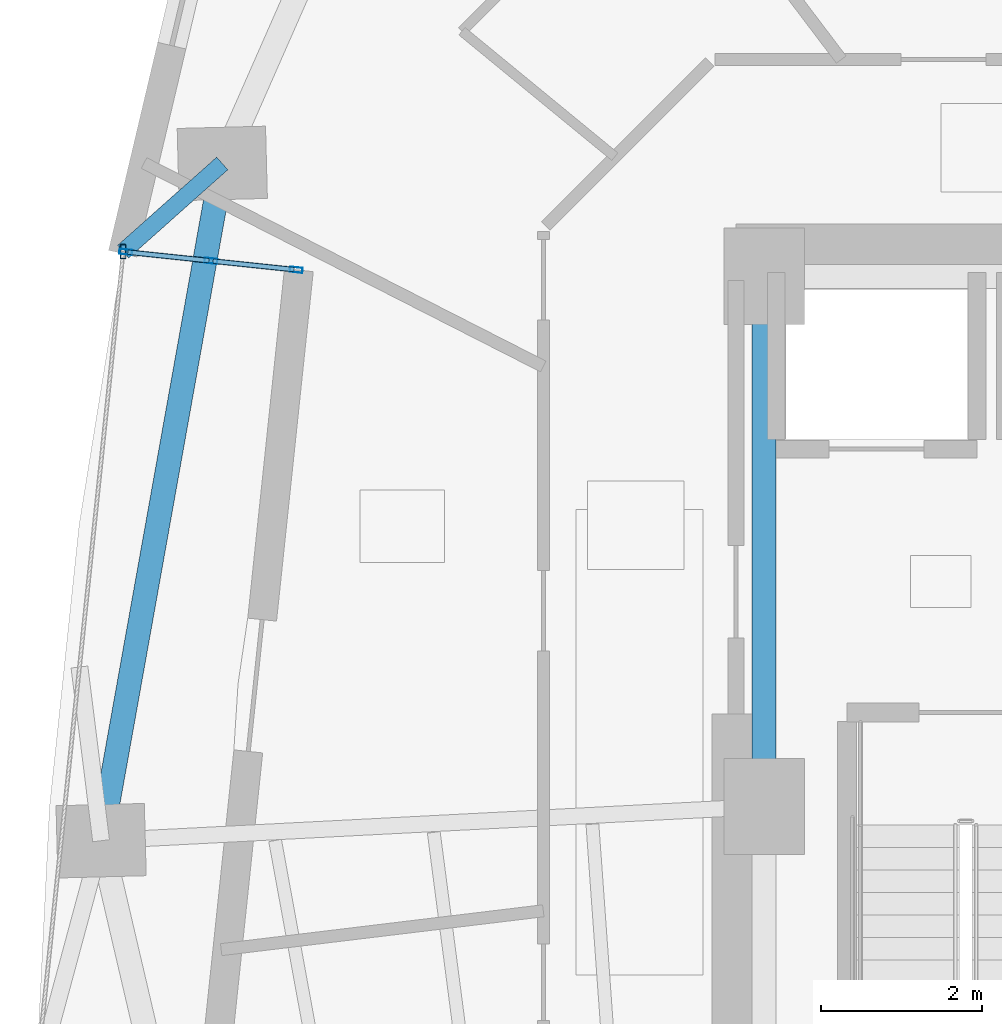
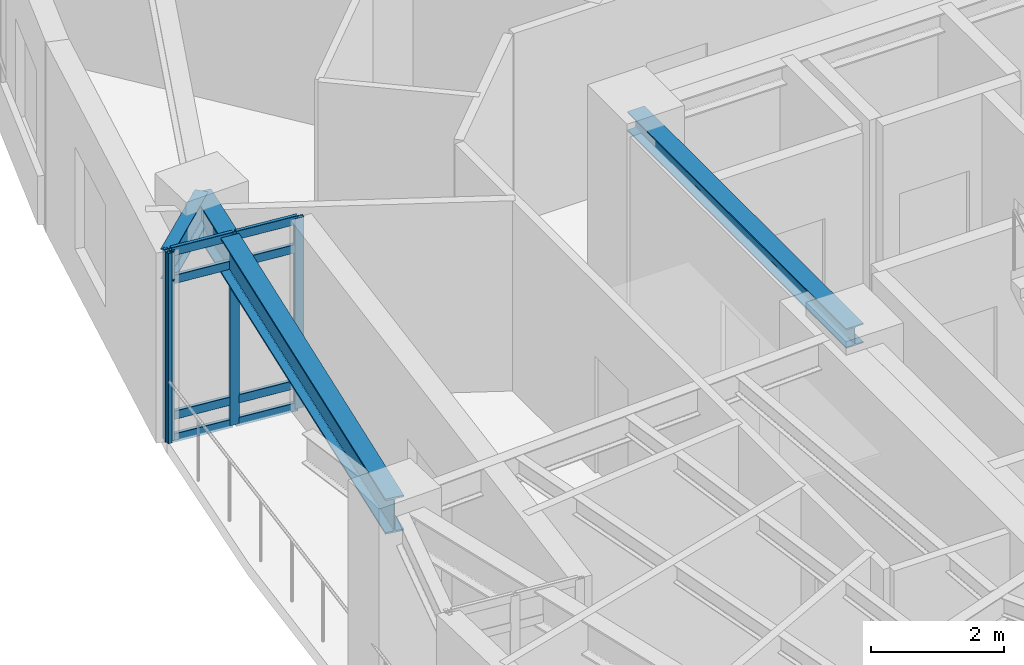
# One storey, part 5 of 16: 12 members, 3 beams, 1 element without a shape of its own.
"""IFC4 building model written with IfcOpenShell, lengths in metres."""

from ifc_helpers import new_model, si_unit, direction, frame, origin, origin_2d, place, context, subcontext, project, spatial, hollow_rectangle, i_section, extrude, material, layer, layer_set, material_profile, profile_set, type_object, element, aggregate, save


model = new_model("IFC4")

# Units and contexts
model_context = context("Model", 3, precision=1e-05, world=origin(), true_north=direction((0.0, 1.0)))
body_context = subcontext(model_context, "Body", "Model", "MODEL_VIEW")
ifc_project = project(units=[si_unit("LENGTHUNIT", "METRE"), si_unit("AREAUNIT", "SQUARE_METRE"), si_unit("VOLUMEUNIT", "CUBIC_METRE"), si_unit("PLANEANGLEUNIT", "RADIAN"), si_unit("MASSUNIT", "GRAM", prefix="KILO")], contexts=[model_context])

# Site, building, storey
site_placement = place(None, origin())
site = spatial("IfcSite", under=ifc_project, at=site_placement, CompositionType="ELEMENT")
building_placement = place(site_placement, origin())
building = spatial("IfcBuilding", under=site, at=building_placement, Name="Ndelora Gate Hotel", CompositionType="ELEMENT")
storey_placement = place(building_placement, frame((0.0, 0.0, 97.25)))
storey = spatial("IfcBuildingStorey", under=building, at=storey_placement, Name="L23", CompositionType="ELEMENT", Elevation=97.25)

# Beams
ifc_material_1 = material(Name="Steel S355", Category="steel")
ifc_material_profile_1 = material_profile(ifc_material_1, i_section(OverallWidth=0.300048828125, OverallDepth=0.360107421875, WebThickness=0.012451171875, FlangeThickness=0.0224609375, FilletRadius=0.027099609375, at=origin_2d()), Name="HEB 360")
ifc_profile_set_1 = profile_set([ifc_material_profile_1], Name="Steel S355")
beam_type_1 = type_object("IfcBeamType", Name="BM-CORE-360", PredefinedType="BEAM", material=ifc_profile_set_1)
beam_1_placement = place(storey_placement, frame((-8.0, 0.0, 3.320068359375), z_axis=(0.0, 1.0, 0.0), x_axis=(-1.0, 0.0, 0.0)))
element("IfcBeam", 1, at=beam_1_placement, inside=storey, type_object=beam_type_1, Name="L23 Core Tie Girder CC8-CC7", PredefinedType="BEAM", context=body_context, shape_type="SweptSolid", body=[
    extrude(i_section(OverallWidth=0.300048828125, OverallDepth=0.360107421875, WebThickness=0.012451171875, FlangeThickness=0.0224609375, FilletRadius=0.027099609375, at=origin_2d()), origin(), (0.0, 0.0, 1.0), 6.60009765625),
])
ifc_material_profile_2 = material_profile(ifc_material_1, i_section(OverallWidth=0.2099609375, OverallDepth=0.550048828125, WebThickness=0.010986328125, FlangeThickness=0.01708984375, FilletRadius=0.02392578125, at=origin_2d()), Name="IPE 550")
ifc_profile_set_2 = profile_set([ifc_material_profile_2], Name="Steel S355")
beam_type_2 = type_object("IfcBeamType", Name="BM-RAD-550", PredefinedType="BEAM", material=ifc_profile_set_2)
beam_2_placement = place(storey_placement, frame((-14.74658203125, 8.006591796875, 3.22509765625), z_axis=(-0.747058674237, -0.664758104311, 0.0), x_axis=(0.664758104311, -0.747058674237, 0.0)))
element("IfcBeam", 2, at=beam_2_placement, inside=storey, type_object=beam_type_2, Name="L23 Sky-Garden Loggia Column Bracket 1", PredefinedType="BEAM", context=body_context, shape_type="SweptSolid", body=[
    extrude(i_section(OverallWidth=0.2099609375, OverallDepth=0.550048828125, WebThickness=0.010986328125, FlangeThickness=0.01708984375, FilletRadius=0.02392578125, at=origin_2d()), origin(), (0.0, 0.0, 1.0), 1.65234375),
])
ifc_material_profile_3 = material_profile(ifc_material_1, i_section(OverallWidth=0.300048828125, OverallDepth=0.64990234375, WebThickness=0.01611328125, FlangeThickness=0.031005859375, FilletRadius=0.027099609375, at=origin_2d()), Name="HEB 650")
ifc_profile_set_3 = profile_set([ifc_material_profile_3], Name="Steel S355")
beam_type_3 = type_object("IfcBeamType", Name="BM-RING-650", PredefinedType="SPANDREL", material=ifc_profile_set_3)
beam_3_placement = place(storey_placement, frame((-14.74658203125, 8.006591796875, 3.175048828125), z_axis=(-0.176130938817, -0.984366746894, 0.0), x_axis=(0.984366746894, -0.176130938817, 0.0)))
element("IfcBeam", 3, at=beam_3_placement, inside=storey, type_object=beam_type_3, Name="L23 Perimeter Spandrel Girder 2", PredefinedType="SPANDREL", context=body_context, shape_type="SweptSolid", body=[
    extrude(i_section(OverallWidth=0.300048828125, OverallDepth=0.64990234375, WebThickness=0.01611328125, FlangeThickness=0.031005859375, FilletRadius=0.027099609375, at=origin_2d()), origin(), (0.0, 0.0, 1.0), 8.56640625),
])

# Curtain wall, members
ifc_material_2 = material(Name="Bronze Anodised Unitised Aluminium and Low-E Glass", Category="aluminium")
ifc_layer = layer(ifc_material_2, 0.199951171875)
ifc_layer_set = layer_set([ifc_layer], Name="Bronze Anodised Unitised Aluminium and Low-E Glass")
curtain_wall_type = type_object("IfcCurtainWallType", Name="CW-SYS-3", PredefinedType="NOTDEFINED", material=ifc_layer_set)
curtain_wall_placement = place(storey_placement, origin())
curtain_wall = element("IfcCurtainWall", 4, at=curtain_wall_placement, inside=storey, type_object=curtain_wall_type, Name="L23 Sky-Garden Loggia Side Curtain Wall CW3-1", PredefinedType="NOTDEFINED")
ifc_material_3 = material(Name="Bronze Anodised Aluminium 6063-T6", Category="aluminium")
ifc_material_profile_4 = material_profile(ifc_material_3, hollow_rectangle(XDim=0.06494140625, YDim=0.159912109375, WallThickness=0.00390625, InnerFilletRadius=0.00390625, OuterFilletRadius=0.008056640625, at=origin_2d()), Name="ALU 160x65x4")
ifc_profile_set_4 = profile_set([ifc_material_profile_4], Name="Bronze Anodised Aluminium 6063-T6")
member_type_1 = type_object("IfcMemberType", Name="MB-CW-MUL150", PredefinedType="MULLION", material=ifc_profile_set_4)
member_1_placement = place(storey_placement, frame((-13.825439453125, 6.681884765625, -0.00390625), z_axis=(0.0, 0.0, 1.0), x_axis=(-0.10450258647, -0.994524614789, 0.0)))
member_1 = element("IfcMember", 5, at=member_1_placement, type_object=member_type_1, Name="CW3 mullion 1", PredefinedType="MULLION", context=body_context, shape_type="SweptSolid", body=[
    extrude(hollow_rectangle(XDim=0.06494140625, YDim=0.159912109375, WallThickness=0.00390625, InnerFilletRadius=0.00390625, OuterFilletRadius=0.008056640625, at=origin_2d()), origin(), (0.0, 0.0, 1.0), 3.5078125),
])
member_2_placement = place(storey_placement, frame((-14.886962890625, 6.79345703125, -0.00390625), z_axis=(0.0, 0.0, 1.0), x_axis=(-0.10450258647, -0.994524614789, 0.0)))
member_2 = element("IfcMember", 6, at=member_2_placement, type_object=member_type_1, Name="CW3 mullion 2", PredefinedType="MULLION", context=body_context, shape_type="SweptSolid", body=[
    extrude(hollow_rectangle(XDim=0.06494140625, YDim=0.159912109375, WallThickness=0.00390625, InnerFilletRadius=0.00390625, OuterFilletRadius=0.008056640625, at=origin_2d()), origin(), (0.0, 0.0, 1.0), 3.5078125),
])
member_3_placement = place(storey_placement, frame((-15.94873046875, 6.90478515625, -0.00390625), z_axis=(0.0, 0.0, 1.0), x_axis=(-0.10450258647, -0.994524614789, 0.0)))
member_3 = element("IfcMember", 7, at=member_3_placement, type_object=member_type_1, Name="CW3 mullion 3", PredefinedType="MULLION", context=body_context, shape_type="SweptSolid", body=[
    extrude(hollow_rectangle(XDim=0.06494140625, YDim=0.159912109375, WallThickness=0.00390625, InnerFilletRadius=0.00390625, OuterFilletRadius=0.008056640625, at=origin_2d()), origin(), (0.0, 0.0, 1.0), 3.5078125),
])
ifc_material_profile_5 = material_profile(ifc_material_3, hollow_rectangle(XDim=0.070068359375, YDim=0.179931640625, WallThickness=0.0048828125, InnerFilletRadius=0.0048828125, OuterFilletRadius=0.010009765625, at=origin_2d()), Name="ALU 180x70x5")
ifc_profile_set_5 = profile_set([ifc_material_profile_5], Name="Bronze Anodised Aluminium 6063-T6")
member_type_2 = type_object("IfcMemberType", Name="MB-CW-MUL180", PredefinedType="MULLION", material=ifc_profile_set_5)
member_4_placement = place(storey_placement, frame((-15.98095703125, 6.908203125, 0.0), z_axis=(0.0, 0.0, 1.0), x_axis=(1.0, 0.0, 0.0)))
member_4 = element("IfcMember", 8, at=member_4_placement, type_object=member_type_2, Name="L23 Sky-Garden Loggia Corner Mullion Post 1", PredefinedType="MULLION", context=body_context, shape_type="SweptSolid", body=[
    extrude(hollow_rectangle(XDim=0.070068359375, YDim=0.179931640625, WallThickness=0.0048828125, InnerFilletRadius=0.0048828125, OuterFilletRadius=0.010009765625, at=origin_2d()), origin(), (0.0, 0.0, 1.0), 3.5),
])
ifc_material_profile_6 = material_profile(ifc_material_3, hollow_rectangle(XDim=0.06494140625, YDim=0.159912109375, WallThickness=0.00390625, InnerFilletRadius=0.00390625, OuterFilletRadius=0.008056640625, at=origin_2d()), Name="ALU 160x65x4")
ifc_profile_set_6 = profile_set([ifc_material_profile_6], Name="Bronze Anodised Aluminium 6063-T6")
member_type_3 = type_object("IfcMemberType", Name="MB-CW-TRN150", PredefinedType="USERDEFINED", material=ifc_profile_set_6)
member_5_placement = place(storey_placement, frame((-13.851806640625, 6.6845703125, 0.032470703125), z_axis=(-0.994529166593, 0.104459259027, 0.0), x_axis=(-0.104459259027, -0.994529166593, 0.0)))
member_5 = element("IfcMember", 9, at=member_5_placement, type_object=member_type_3, Name="CW3 transom 1.1", ObjectType="TRANSOM", PredefinedType="USERDEFINED", context=body_context, shape_type="SweptSolid", body=[
    extrude(hollow_rectangle(XDim=0.06494140625, YDim=0.159912109375, WallThickness=0.00390625, InnerFilletRadius=0.00390625, OuterFilletRadius=0.008056640625, at=origin_2d()), origin(), (0.0, 0.0, 1.0), 1.014404296875),
])
member_6_placement = place(storey_placement, frame((-13.851806640625, 6.6845703125, 0.449951171875), z_axis=(-0.994529166593, 0.104459259027, 0.0), x_axis=(-0.104459259027, -0.994529166593, 0.0)))
member_6 = element("IfcMember", 10, at=member_6_placement, type_object=member_type_3, Name="CW3 transom 1.2", ObjectType="TRANSOM", PredefinedType="USERDEFINED", context=body_context, shape_type="SweptSolid", body=[
    extrude(hollow_rectangle(XDim=0.06494140625, YDim=0.159912109375, WallThickness=0.00390625, InnerFilletRadius=0.00390625, OuterFilletRadius=0.008056640625, at=origin_2d()), origin(), (0.0, 0.0, 1.0), 1.014404296875),
])
member_7_placement = place(storey_placement, frame((-13.851806640625, 6.6845703125, 2.949951171875), z_axis=(-0.994529166593, 0.104459259027, 0.0), x_axis=(-0.104459259027, -0.994529166593, 0.0)))
member_7 = element("IfcMember", 11, at=member_7_placement, type_object=member_type_3, Name="CW3 transom 1.3", ObjectType="TRANSOM", PredefinedType="USERDEFINED", context=body_context, shape_type="SweptSolid", body=[
    extrude(hollow_rectangle(XDim=0.06494140625, YDim=0.159912109375, WallThickness=0.00390625, InnerFilletRadius=0.00390625, OuterFilletRadius=0.008056640625, at=origin_2d()), origin(), (0.0, 0.0, 1.0), 1.014404296875),
])
member_8_placement = place(storey_placement, frame((-13.851806640625, 6.6845703125, 3.467529296875), z_axis=(-0.994529166593, 0.104459259027, 0.0), x_axis=(-0.104459259027, -0.994529166593, 0.0)))
member_8 = element("IfcMember", 12, at=member_8_placement, type_object=member_type_3, Name="CW3 transom 1.4", ObjectType="TRANSOM", PredefinedType="USERDEFINED", context=body_context, shape_type="SweptSolid", body=[
    extrude(hollow_rectangle(XDim=0.06494140625, YDim=0.159912109375, WallThickness=0.00390625, InnerFilletRadius=0.00390625, OuterFilletRadius=0.008056640625, at=origin_2d()), origin(), (0.0, 0.0, 1.0), 1.014404296875),
])
member_9_placement = place(storey_placement, frame((-14.913330078125, 6.796142578125, 0.032470703125), z_axis=(-0.994531791991, 0.104434260277, 0.0), x_axis=(-0.104434260277, -0.994531791991, 0.0)))
member_9 = element("IfcMember", 13, at=member_9_placement, type_object=member_type_3, Name="CW3 transom 2.1", ObjectType="TRANSOM", PredefinedType="USERDEFINED", context=body_context, shape_type="SweptSolid", body=[
    extrude(hollow_rectangle(XDim=0.06494140625, YDim=0.159912109375, WallThickness=0.00390625, InnerFilletRadius=0.00390625, OuterFilletRadius=0.008056640625, at=origin_2d()), origin(), (0.0, 0.0, 1.0), 1.0146484375),
])
member_10_placement = place(storey_placement, frame((-14.913330078125, 6.796142578125, 0.449951171875), z_axis=(-0.994531791991, 0.104434260277, 0.0), x_axis=(-0.104434260277, -0.994531791991, 0.0)))
member_10 = element("IfcMember", 14, at=member_10_placement, type_object=member_type_3, Name="CW3 transom 2.2", ObjectType="TRANSOM", PredefinedType="USERDEFINED", context=body_context, shape_type="SweptSolid", body=[
    extrude(hollow_rectangle(XDim=0.06494140625, YDim=0.159912109375, WallThickness=0.00390625, InnerFilletRadius=0.00390625, OuterFilletRadius=0.008056640625, at=origin_2d()), origin(), (0.0, 0.0, 1.0), 1.0146484375),
])
member_11_placement = place(storey_placement, frame((-14.913330078125, 6.796142578125, 2.949951171875), z_axis=(-0.994531791991, 0.104434260277, 0.0), x_axis=(-0.104434260277, -0.994531791991, 0.0)))
member_11 = element("IfcMember", 15, at=member_11_placement, type_object=member_type_3, Name="CW3 transom 2.3", ObjectType="TRANSOM", PredefinedType="USERDEFINED", context=body_context, shape_type="SweptSolid", body=[
    extrude(hollow_rectangle(XDim=0.06494140625, YDim=0.159912109375, WallThickness=0.00390625, InnerFilletRadius=0.00390625, OuterFilletRadius=0.008056640625, at=origin_2d()), origin(), (0.0, 0.0, 1.0), 1.0146484375),
])
member_12_placement = place(storey_placement, frame((-14.913330078125, 6.796142578125, 3.467529296875), z_axis=(-0.994531791991, 0.104434260277, 0.0), x_axis=(-0.104434260277, -0.994531791991, 0.0)))
member_12 = element("IfcMember", 16, at=member_12_placement, type_object=member_type_3, Name="CW3 transom 2.4", ObjectType="TRANSOM", PredefinedType="USERDEFINED", context=body_context, shape_type="SweptSolid", body=[
    extrude(hollow_rectangle(XDim=0.06494140625, YDim=0.159912109375, WallThickness=0.00390625, InnerFilletRadius=0.00390625, OuterFilletRadius=0.008056640625, at=origin_2d()), origin(), (0.0, 0.0, 1.0), 1.0146484375),
])
aggregate(curtain_wall, [member_1, member_2, member_3, member_5, member_6, member_7, member_8, member_9, member_10, member_11, member_12, member_4])

save(model, "model.ifc")
